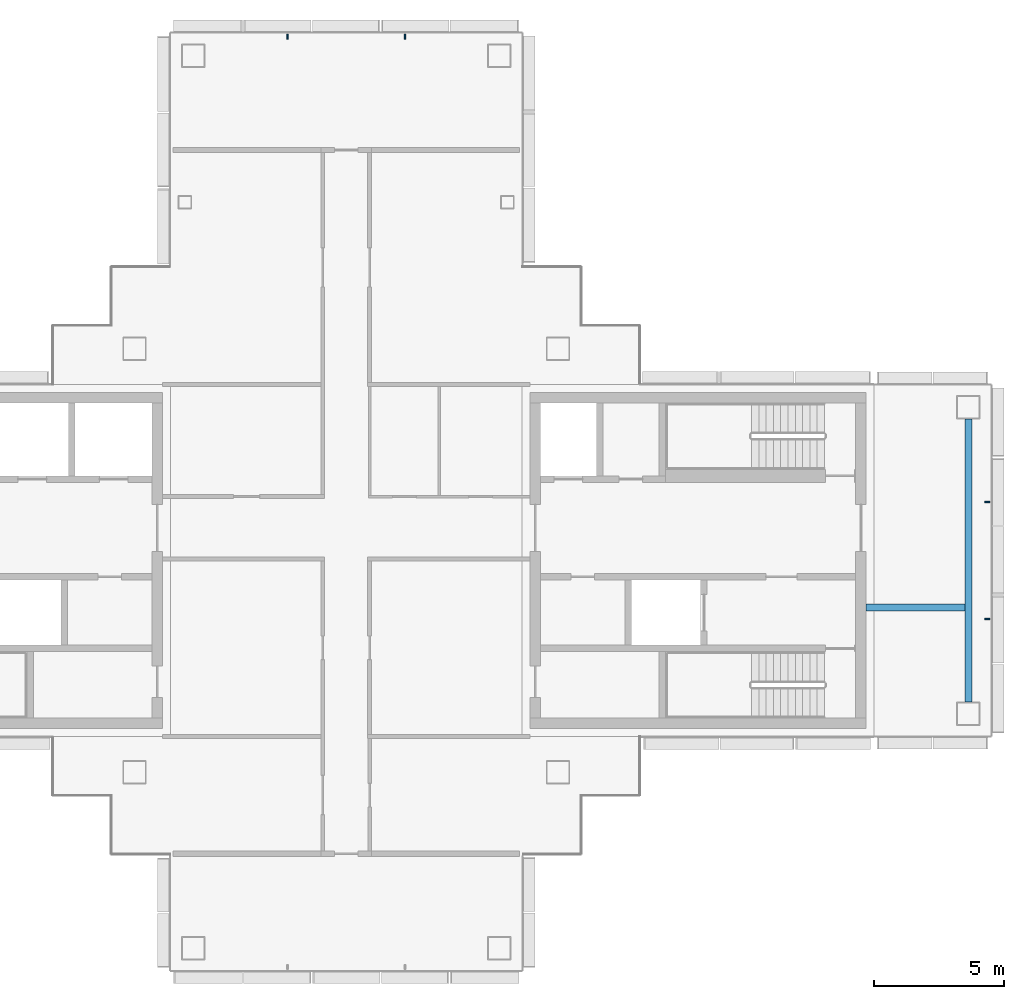
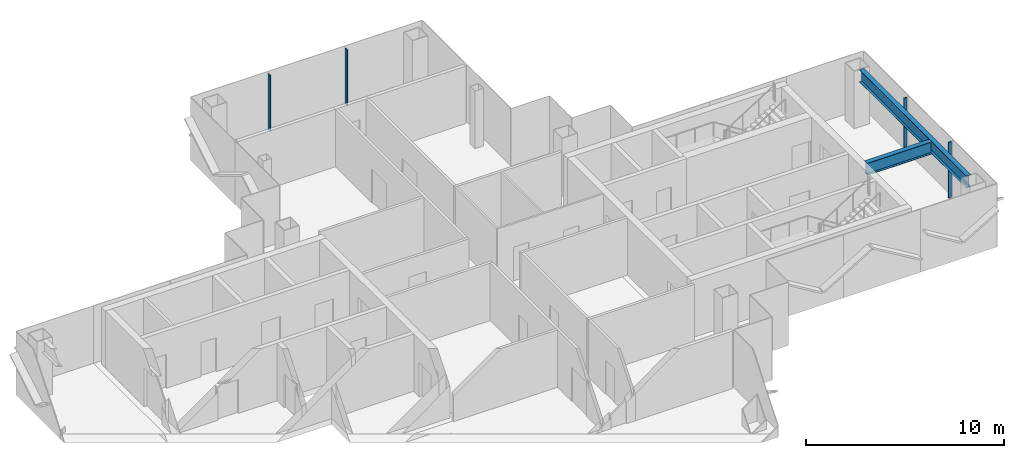
# One storey, part 6 of 17: 4 members, 2 beams, 2 elements without a shape of their own.
"""IFC4 building model written with IfcOpenShell, lengths in metres."""

import ifcopenshell
import ifcopenshell.guid

model = None  # the IFC model being written
_history = None  # IfcOwnerHistory: only IFC2X3 demands one
_inside = {}  # id of a spatial element -> (the spatial element, [elements in it])
_under = {}  # id of a project, library or spatial element -> (it, [spatial elements below it])
_declared = {}  # id of a project -> (the project, [libraries it declares])
_typed = {}  # id of a type object -> (the type object, [elements of that type])
_made_of = {}  # id of a material, layer set ... -> (it, [elements and type objects made of it])


def new_model(schema):
    """Start an empty IFC model of exactly this schema.

    Asked for "IFC4X3", IfcOpenShell would pick the latest addendum, in which some entities
    have other attributes; the version numbers below select the first issue.
    IFC2X3 requires an IfcOwnerHistory on every rooted entity: one is made here for all.
    """
    global model, _history
    if schema == "IFC4X3":
        model = ifcopenshell.file(schema_version=(4, 3, 0, 0))
    else:
        model = ifcopenshell.file(schema=schema)
    _inside.clear()
    _under.clear()
    _declared.clear()
    _typed.clear()
    _made_of.clear()
    _history = None
    if model.schema == "IFC2X3":
        org = make("IfcOrganization", Name="unknown")
        user = make(
            "IfcPersonAndOrganization",
            ThePerson=make("IfcPerson", FamilyName="unknown"),
            TheOrganization=org,
        )
        app = make(
            "IfcApplication",
            ApplicationDeveloper=org,
            Version="unknown",
            ApplicationFullName="unknown",
            ApplicationIdentifier="unknown",
        )
        _history = make(
            "IfcOwnerHistory",
            OwningUser=user,
            OwningApplication=app,
            ChangeAction="ADDED",
            CreationDate=0,
        )
    return model


def make(cls, **values):
    """One entity of the class cls with the attributes given. An attribute that is None is left unset."""
    return model.create_entity(
        cls, **{name: value for name, value in values.items() if value is not None}
    )


def rooted(cls, **values):
    """An entity with a GlobalId (a new one), such as an element, a storey or a relation."""
    return make(cls, GlobalId=ifcopenshell.guid.new(), OwnerHistory=_history, **values)


def si_unit(unit_type, name, prefix=None):
    """IfcSIUnit, for example si_unit("LENGTHUNIT", "METRE", prefix="MILLI")."""
    return make("IfcSIUnit", UnitType=unit_type, Prefix=prefix, Name=name)


def assignment(units):
    """IfcUnitAssignment: the units of a project."""
    return None if units is None else make("IfcUnitAssignment", Units=units)


def point(xyz):
    """IfcCartesianPoint."""
    return None if xyz is None else make("IfcCartesianPoint", Coordinates=xyz)


def direction(xyz):
    """IfcDirection."""
    return None if xyz is None else make("IfcDirection", DirectionRatios=xyz)


def frame(location, z_axis=None, x_axis=None):
    """IfcAxis2Placement3D, a coordinate frame: its origin and axes. An axis left out is left unset."""
    return make(
        "IfcAxis2Placement3D",
        Location=point(location),
        Axis=direction(z_axis),
        RefDirection=direction(x_axis),
    )


def frame_2d(location, x_axis=None):
    """IfcAxis2Placement2D, a coordinate frame in the plane: its origin and x axis."""
    return make(
        "IfcAxis2Placement2D", Location=point(location), RefDirection=direction(x_axis)
    )


def origin():
    """The frame at (0, 0, 0) with its axes left unset."""
    return frame((0.0, 0.0, 0.0))


def origin_2d():
    """The frame at (0, 0) in the plane with its x axis left unset."""
    return frame_2d((0.0, 0.0))


def place(relative_to, where):
    """IfcLocalPlacement: puts the frame where relative to a parent placement (None: the world)."""
    return make(
        "IfcLocalPlacement", PlacementRelTo=relative_to, RelativePlacement=where
    )


def context(
    kind, dimensions, precision=None, world=None, true_north=None, identifier=None
):
    """IfcGeometricRepresentationContext, for example the 3D "Model" context."""
    return make(
        "IfcGeometricRepresentationContext",
        ContextIdentifier=identifier,
        ContextType=kind,
        CoordinateSpaceDimension=dimensions,
        Precision=precision,
        WorldCoordinateSystem=world,
        TrueNorth=true_north,
    )


def subcontext(parent, identifier, kind, view, scale=None):
    """IfcGeometricRepresentationSubContext, for example "Body" below "Model"."""
    return make(
        "IfcGeometricRepresentationSubContext",
        ContextIdentifier=identifier,
        ContextType=kind,
        ParentContext=parent,
        TargetScale=scale,
        TargetView=view,
    )


def project(units=None, contexts=None):
    """IfcProject with its units and contexts."""
    return rooted(
        "IfcProject",
        Name="project",
        RepresentationContexts=contexts,
        UnitsInContext=assignment(units),
    )


def spatial(cls, under=None, at=None, **own):
    """A site, building, storey or space (cls), placed at a placement, below another one or the project."""
    s = rooted(cls, ObjectPlacement=at, **own)
    if under is not None:
        _under.setdefault(under.id(), (under, []))[1].append(s)
    return s


def profile(cls, at=None, kind="AREA", **sizes):
    """A parametric profile (cls). Its sizes go by their IFC names, for example OverallWidth=200.0."""
    return make(cls, ProfileType=kind, Position=at, **sizes)


def rectangle(**sizes):
    """IfcRectangleProfileDef."""
    return profile("IfcRectangleProfileDef", **sizes)


def i_section(**sizes):
    """IfcIShapeProfileDef."""
    return profile("IfcIShapeProfileDef", **sizes)


def extrude(swept, where, along, depth):
    """IfcExtrudedAreaSolid: the profile swept, set in the frame where, extruded along a direction by depth."""
    return make(
        "IfcExtrudedAreaSolid",
        SweptArea=swept,
        Position=where,
        ExtrudedDirection=direction(along),
        Depth=depth,
    )


def shape(context_of_items, identifier, shape_type, items):
    """IfcShapeRepresentation: the items that make up one representation, for example the "Body"."""
    return make(
        "IfcShapeRepresentation",
        ContextOfItems=context_of_items,
        RepresentationIdentifier=identifier,
        RepresentationType=shape_type,
        Items=items,
    )


def material(Name=None, Category=None):
    """IfcMaterial."""
    return make("IfcMaterial", Name=Name, Category=Category)


def layer(
    of_material, thickness, ventilated=None, Name=None, Category=None, Priority=None
):
    """IfcMaterialLayer: one layer of a wall or slab, of a material (None: an air gap)."""
    return make(
        "IfcMaterialLayer",
        Material=of_material,
        LayerThickness=thickness,
        IsVentilated=ventilated,
        Name=Name,
        Category=Category,
        Priority=Priority,
    )


def layer_set(layers, Name=None):
    """IfcMaterialLayerSet."""
    return make("IfcMaterialLayerSet", MaterialLayers=layers, LayerSetName=Name)


def material_profile(
    of_material, cross_section, Name=None, Category=None, Priority=None
):
    """IfcMaterialProfile: a cross section and its material."""
    return make(
        "IfcMaterialProfile",
        Name=Name,
        Material=of_material,
        Profile=cross_section,
        Priority=Priority,
        Category=Category,
    )


def profile_set(profiles, Name=None, composite=None):
    """IfcMaterialProfileSet."""
    return make(
        "IfcMaterialProfileSet",
        Name=Name,
        MaterialProfiles=profiles,
        CompositeProfile=composite,
    )


def made_of(thing, what):
    """Note that an element or type object is made of a material, layer set ...; save() writes the relation."""
    if what is not None:
        _made_of.setdefault(what.id(), (what, []))[1].append(thing)
    return thing


def type_object(cls, material=None, **own):
    """A type object (cls), such as IfcWallType, which elements share."""
    return made_of(rooted(cls, **own), material)


def element(
    cls,
    number,
    at=None,
    inside=None,
    cuts=None,
    type_object=None,
    material=None,
    context=None,
    identifier="Body",
    shape_type=None,
    held_by="IfcProductDefinitionShape",
    body=None,
    shapes=None,
    **own,
):
    """One element of the class cls, such as IfcWall. Its Tag is "e" and its number.

    at: its placement. inside: the storey or other place that contains it. cuts: it is an
    opening in that element (IfcRelVoidsElement). A single representation is given by context,
    identifier, shape_type and body (its items); several are given by shapes. held_by: the class
    of the entity that holds the representations. save() writes the other relations.
    """
    e = rooted(cls, Tag="e%d" % number, ObjectPlacement=at, **own)
    if body is not None:
        shapes = [shape(context, identifier, shape_type, body)]
    if shapes is not None:
        e.Representation = make(held_by, Representations=shapes)
    if inside is not None:
        _inside.setdefault(inside.id(), (inside, []))[1].append(e)
    if cuts is not None:
        rooted(
            "IfcRelVoidsElement", RelatingBuildingElement=cuts, RelatedOpeningElement=e
        )
    if type_object is not None:
        _typed.setdefault(type_object.id(), (type_object, []))[1].append(e)
    return made_of(e, material)


def aggregate(whole, parts):
    """IfcRelAggregates: a whole, such as a stair, and the parts it consists of."""
    return rooted("IfcRelAggregates", RelatingObject=whole, RelatedObjects=parts)


def save(model, path):
    """Write the relations noted so far, then the file.

    IfcRelAggregates (storeys below a building ...), IfcRelContainedInSpatialStructure (elements
    in a storey), IfcRelDefinesByType, IfcRelAssociatesMaterial and IfcRelDeclares: one each for
    every whole, place, type object, material and project.
    """
    for whole, parts in _under.values():
        aggregate(whole, parts)
    for where, things in _inside.values():
        rooted(
            "IfcRelContainedInSpatialStructure",
            RelatedElements=things,
            RelatingStructure=where,
        )
    for kind, things in _typed.values():
        rooted("IfcRelDefinesByType", RelatedObjects=things, RelatingType=kind)
    for what, things in _made_of.values():
        rooted("IfcRelAssociatesMaterial", RelatedObjects=things, RelatingMaterial=what)
    for by, libraries in _declared.values():
        rooted("IfcRelDeclares", RelatingContext=by, RelatedDefinitions=libraries)
    model.write(path)


model = new_model("IFC4")

# Units and contexts
model_context = context("Model", 3, precision=1e-05, world=origin(), true_north=direction((0.0, 1.0)))
body_context = subcontext(model_context, "Body", "Model", "MODEL_VIEW")
ifc_project = project(units=[si_unit("LENGTHUNIT", "METRE"), si_unit("AREAUNIT", "SQUARE_METRE"), si_unit("VOLUMEUNIT", "CUBIC_METRE"), si_unit("PLANEANGLEUNIT", "RADIAN"), si_unit("MASSUNIT", "GRAM", prefix="KILO")], contexts=[model_context])

# Site, building, storey
site_placement = place(None, origin())
site = spatial("IfcSite", under=ifc_project, at=site_placement, CompositionType="ELEMENT")
building_placement = place(site_placement, origin())
building = spatial("IfcBuilding", under=site, at=building_placement, Name="Shamsa Quay Exchange Towers", CompositionType="ELEMENT")
storey_placement = place(building_placement, frame((0.0, 0.0, 253.800048828125)))
storey = spatial("IfcBuildingStorey", under=building, at=storey_placement, Name="L61", CompositionType="ELEMENT", Elevation=253.800048828125)

# Curtain wall, members
ifc_material_1 = material(Name="Aluminium EN AW-6063 T6, black anodised", Category="aluminium")
ifc_layer = layer(ifc_material_1, 0.280029296875)
ifc_layer_set = layer_set([ifc_layer], Name="CW-1 UNITISED VISION GLASS")
curtain_wall_type = type_object("IfcCurtainWallType", Name="CW-1 UNITISED VISION GLASS", PredefinedType="NOTDEFINED", material=ifc_layer_set)
curtain_wall_1_placement = place(storey_placement, origin())
curtain_wall_1 = element("IfcCurtainWall", 1, at=curtain_wall_1_placement, inside=storey, type_object=curtain_wall_type, Name="CW1 T2-END-V- L61", PredefinedType="NOTDEFINED")
ifc_material_profile_1 = material_profile(ifc_material_1, rectangle(XDim=0.179931640625, YDim=0.06005859375, at=origin_2d()), Name="MU60x180")
ifc_profile_set_1 = profile_set([ifc_material_profile_1], Name="Aluminium EN AW-6063 T6, black anodised")
member_type = type_object("IfcMemberType", Name="CW1 MULLION 60x180", PredefinedType="MULLION", material=ifc_profile_set_1)
member_1_placement = place(storey_placement, frame((58.35009765625, -2.25, 0.0), z_axis=(0.0, 0.0, 1.0), x_axis=(-1.0, 0.0, 0.0)))
member_1 = element("IfcMember", 2, at=member_1_placement, type_object=member_type, Name="CW1 mullion", PredefinedType="MULLION", context=body_context, shape_type="SweptSolid", body=[
    extrude(rectangle(XDim=0.179931640625, YDim=0.06005859375, at=origin_2d()), origin(), (0.0, 0.0, 1.0), 3.449951171875),
])
member_2_placement = place(storey_placement, frame((58.35009765625, 2.25, 0.0), z_axis=(0.0, 0.0, 1.0), x_axis=(-1.0, 0.0, 0.0)))
member_2 = element("IfcMember", 3, at=member_2_placement, type_object=member_type, Name="CW1 mullion", PredefinedType="MULLION", context=body_context, shape_type="SweptSolid", body=[
    extrude(rectangle(XDim=0.179931640625, YDim=0.06005859375, at=origin_2d()), origin(), (0.0, 0.0, 1.0), 3.449951171875),
])
aggregate(curtain_wall_1, [member_1, member_2])

curtain_wall_2_placement = place(storey_placement, origin())
curtain_wall_2 = element("IfcCurtainWall", 4, at=curtain_wall_2_placement, inside=storey, type_object=curtain_wall_type, Name="CW1 T2-END-U+ L61", PredefinedType="NOTDEFINED")
member_3_placement = place(storey_placement, frame((36.0, 20.10009765625, 0.0), z_axis=(0.0, 0.0, 1.0), x_axis=(0.0, -1.0, 0.0)))
member_3 = element("IfcMember", 5, at=member_3_placement, type_object=member_type, Name="CW1 mullion", PredefinedType="MULLION", context=body_context, shape_type="SweptSolid", body=[
    extrude(rectangle(XDim=0.179931640625, YDim=0.06005859375, at=origin_2d()), origin(), (0.0, 0.0, 1.0), 3.449951171875),
])
member_4_placement = place(storey_placement, frame((31.5, 20.10009765625, 0.0), z_axis=(0.0, 0.0, 1.0), x_axis=(0.0, -1.0, 0.0)))
member_4 = element("IfcMember", 6, at=member_4_placement, type_object=member_type, Name="CW1 mullion", PredefinedType="MULLION", context=body_context, shape_type="SweptSolid", body=[
    extrude(rectangle(XDim=0.179931640625, YDim=0.06005859375, at=origin_2d()), origin(), (0.0, 0.0, 1.0), 3.449951171875),
])
aggregate(curtain_wall_2, [member_3, member_4])

# Beams
ifc_material_2 = material(Name="Steel S355", Category="steel")
ifc_material_profile_2 = material_profile(ifc_material_2, i_section(OverallWidth=0.26611328125, OverallDepth=0.7578125, WebThickness=0.013916015625, FlangeThickness=0.019287109375, at=origin_2d()), Name="W30x108")
ifc_profile_set_2 = profile_set([ifc_material_profile_2], Name="Steel S355")
beam_type = type_object("IfcBeamType", Name="End-zone beam W30x108", PredefinedType="BEAM", material=ifc_profile_set_2)
beam_1_placement = place(storey_placement, frame((57.625, -5.425048828125, 3.171142578125), z_axis=(0.0, 1.0, 0.0), x_axis=(-1.0, 0.0, 0.0)))
element("IfcBeam", 7, at=beam_1_placement, inside=storey, type_object=beam_type, Name="End beam T2 V- end zone L61", PredefinedType="BEAM", context=body_context, shape_type="SweptSolid", body=[
    extrude(i_section(OverallWidth=0.26611328125, OverallDepth=0.7578125, WebThickness=0.013916015625, FlangeThickness=0.019287109375, at=origin_2d()), origin(), (0.0, 0.0, 1.0), 10.85009765625),
])
beam_2_placement = place(storey_placement, frame((53.699951171875, -1.800048828125, 3.171142578125), z_axis=(1.0, 0.0, 0.0), x_axis=(0.0, 1.0, 0.0)))
element("IfcBeam", 8, at=beam_2_placement, inside=storey, type_object=beam_type, Name="Spine beam T2 V- end zone L61", PredefinedType="BEAM", context=body_context, shape_type="SweptSolid", body=[
    extrude(i_section(OverallWidth=0.26611328125, OverallDepth=0.7578125, WebThickness=0.013916015625, FlangeThickness=0.019287109375, at=origin_2d()), origin(), (0.0, 0.0, 1.0), 3.7919921875),
])

save(model, "model.ifc")
